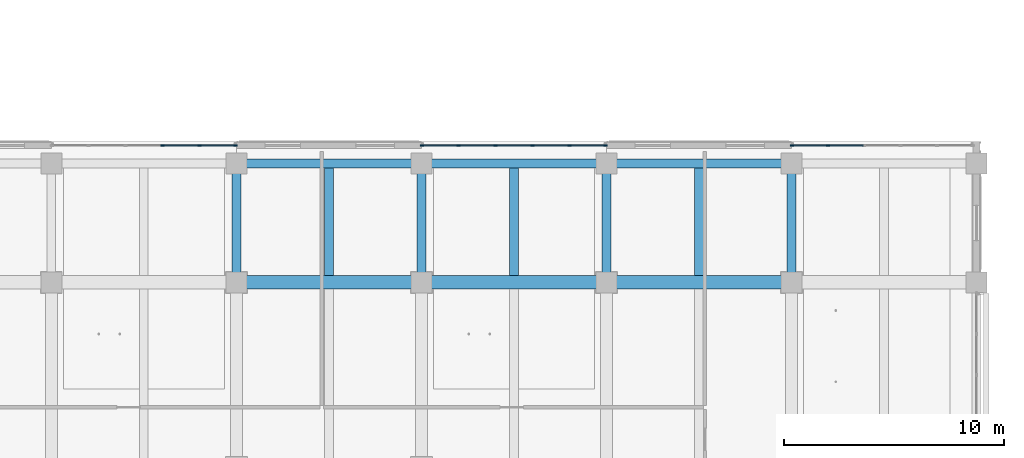
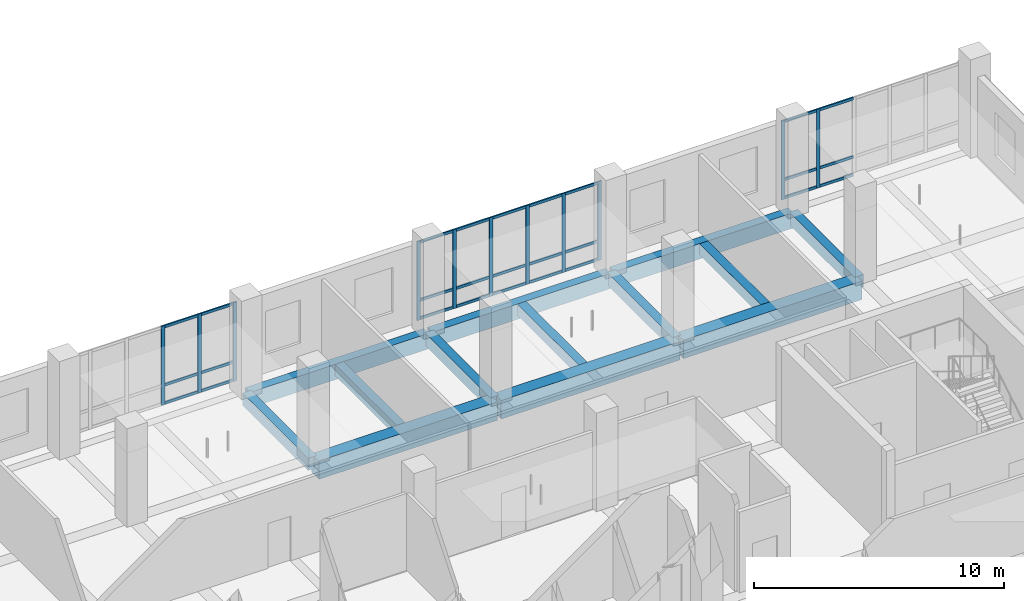
# One storey, part 21 of 122: 38 members, 13 beams, 3 elements without a shape of their own.
"""IFC4 building model written with IfcOpenShell, lengths in metres."""

from ifc_helpers import new_model, si_unit, direction, frame, origin, origin_2d, place, context, subcontext, project, spatial, rectangle, extrude, material, layer, layer_set, material_profile, profile_set, type_object, element, aggregate, save


model = new_model("IFC4")

# Units and contexts
model_context = context("Model", 3, precision=1e-05, world=origin(), true_north=direction((0.0, 1.0)))
body_context = subcontext(model_context, "Body", "Model", "MODEL_VIEW")
ifc_project = project(units=[si_unit("LENGTHUNIT", "METRE"), si_unit("AREAUNIT", "SQUARE_METRE"), si_unit("VOLUMEUNIT", "CUBIC_METRE"), si_unit("PLANEANGLEUNIT", "RADIAN"), si_unit("MASSUNIT", "GRAM", prefix="KILO")], contexts=[model_context])

# Site, building, storey
site_placement = place(None, origin())
site = spatial("IfcSite", under=ifc_project, at=site_placement, CompositionType="ELEMENT")
building_placement = place(site_placement, origin())
building = spatial("IfcBuilding", under=site, at=building_placement, Name="Telukmera Botanical Conservatory", CompositionType="ELEMENT")
storey_placement = place(building_placement, frame((0.0, 0.0, 10.199951171875)))
storey = spatial("IfcBuildingStorey", under=building, at=storey_placement, Name="L02", CompositionType="ELEMENT", Elevation=10.199951171875)

# Beams
ifc_material_1 = material(Name="Concrete C40/50", Category="concrete")
ifc_material_profile_1 = material_profile(ifc_material_1, rectangle(XDim=0.39990234375, YDim=0.60009765625, at=origin_2d()), Name="RC 400x600")
ifc_profile_set_1 = profile_set([ifc_material_profile_1], Name="Concrete C40/50")
beam_type_1 = type_object("IfcBeamType", Name="Beam_B18", PredefinedType="BEAM", material=ifc_profile_set_1)
for number, where, z_axis, x_axis, name in (
    (1, (75.60009765625, 42.8798828125, -0.300048828125), (0.0, 1.0, 0.0), (-1.0, 0.0, 0.0), "Tower Transverse Beam L02"),
    (2, (84.0, 42.8798828125, -0.300048828125), (0.0, 1.0, 0.0), (-1.0, 0.0, 0.0), "Tower Transverse Beam L02"),
    (3, (92.39990234375, 42.8798828125, -0.300048828125), (0.0, 1.0, 0.0), (-1.0, 0.0, 0.0), "Tower Transverse Beam L02"),
    (4, (100.800048828125, 42.8798828125, -0.300048828125), (0.0, 1.0, 0.0), (-1.0, 0.0, 0.0), "Tower Transverse Beam L02"),
):
    element("IfcBeam", number, at=place(storey_placement, frame(where, z_axis=z_axis, x_axis=x_axis)), inside=storey, type_object=beam_type_1, Name=name, PredefinedType="BEAM", context=body_context, shape_type="SweptSolid", body=[
        extrude(rectangle(XDim=0.39990234375, YDim=0.60009765625, at=origin_2d()), origin(), (0.0, 0.0, 1.0), 5.240234375),
    ])
ifc_material_profile_2 = material_profile(ifc_material_1, rectangle(XDim=0.39990234375, YDim=0.550048828125, at=origin_2d()), Name="RC 400x550")
ifc_profile_set_2 = profile_set([ifc_material_profile_2], Name="Concrete C40/50")
beam_type_2 = type_object("IfcBeamType", Name="Beam_B19", PredefinedType="JOIST", material=ifc_profile_set_2)
for number, where, z_axis, x_axis, name in (
    (5, (79.800048828125, 43.10009765625, -0.27490234375), (0.0, 1.0, 0.0), (-1.0, 0.0, 0.0), "Tower Secondary Floor Joist L02"),
    (6, (88.199951171875, 43.10009765625, -0.27490234375), (0.0, 1.0, 0.0), (-1.0, 0.0, 0.0), "Tower Secondary Floor Joist L02"),
    (7, (96.60009765625, 43.10009765625, -0.27490234375), (0.0, 1.0, 0.0), (-1.0, 0.0, 0.0), "Tower Secondary Floor Joist L02"),
):
    element("IfcBeam", number, at=place(storey_placement, frame(where, z_axis=z_axis, x_axis=x_axis)), inside=storey, type_object=beam_type_2, Name=name, PredefinedType="JOIST", context=body_context, shape_type="SweptSolid", body=[
        extrude(rectangle(XDim=0.39990234375, YDim=0.550048828125, at=origin_2d()), origin(), (0.0, 0.0, 1.0), 4.89990234375),
    ])
ifc_material_profile_3 = material_profile(ifc_material_1, rectangle(XDim=0.60009765625, YDim=0.89990234375, at=origin_2d()), Name="RC 600x900")
ifc_profile_set_3 = profile_set([ifc_material_profile_3], Name="Concrete C40/50")
beam_type_3 = type_object("IfcBeamType", Name="Beam_B3", PredefinedType="BEAM", material=ifc_profile_set_3)
for number, where, z_axis, x_axis, name in (
    (8, (75.679931640625, 42.800048828125, -0.449951171875), (1.0, 0.0, 0.0), (0.0, 1.0, 0.0), "Tower Grid Beam L02"),
    (9, (84.080078125, 42.800048828125, -0.449951171875), (1.0, 0.0, 0.0), (0.0, 1.0, 0.0), "Tower Grid Beam L02"),
    (10, (92.47998046875, 42.800048828125, -0.449951171875), (1.0, 0.0, 0.0), (0.0, 1.0, 0.0), "Tower Grid Beam L02"),
):
    element("IfcBeam", number, at=place(storey_placement, frame(where, z_axis=z_axis, x_axis=x_axis)), inside=storey, type_object=beam_type_3, Name=name, PredefinedType="BEAM", context=body_context, shape_type="SweptSolid", body=[
        extrude(rectangle(XDim=0.60009765625, YDim=0.89990234375, at=origin_2d()), origin(), (0.0, 0.0, 1.0), 8.239990234375),
    ])
ifc_material_2 = material(Name="Precast concrete C40/50", Category="concrete")
ifc_material_profile_4 = material_profile(ifc_material_2, rectangle(XDim=0.39990234375, YDim=0.75, at=origin_2d()), Name="PC 400x750")
ifc_profile_set_4 = profile_set([ifc_material_profile_4], Name="Precast concrete C40/50")
beam_type_4 = type_object("IfcBeamType", Name="Beam_SP1", PredefinedType="SPANDREL", material=ifc_profile_set_4)
for number, where, z_axis, x_axis, name in (
    (11, (75.679931640625, 48.199951171875, -0.375), (1.0, 0.0, 0.0), (0.0, 1.0, 0.0), "Tower Grid Beam L02"),
    (12, (84.080078125, 48.199951171875, -0.375), (1.0, 0.0, 0.0), (0.0, 1.0, 0.0), "Tower Grid Beam L02"),
    (13, (92.47998046875, 48.199951171875, -0.375), (1.0, 0.0, 0.0), (0.0, 1.0, 0.0), "Tower Grid Beam L02"),
):
    element("IfcBeam", number, at=place(storey_placement, frame(where, z_axis=z_axis, x_axis=x_axis)), inside=storey, type_object=beam_type_4, Name=name, PredefinedType="SPANDREL", context=body_context, shape_type="SweptSolid", body=[
        extrude(rectangle(XDim=0.39990234375, YDim=0.75, at=origin_2d()), origin(), (0.0, 0.0, 1.0), 8.239990234375),
    ])

# Curtain wall, members
ifc_material_3 = material(Name="Anodised aluminium 6063-T6", Category="aluminium")
ifc_layer = layer(ifc_material_3, 0.179931640625)
ifc_layer_set = layer_set([ifc_layer], Name="Anodised aluminium 6063-T6")
curtain_wall_type = type_object("IfcCurtainWallType", Name="Tower Reference Library Curtain Wall", PredefinedType="USERDEFINED", material=ifc_layer_set)
curtain_wall_1_placement = place(storey_placement, origin())
curtain_wall_1 = element("IfcCurtainWall", 14, at=curtain_wall_1_placement, inside=storey, type_object=curtain_wall_type, Name="Unitised Curtain Wall CW13 V4:L02:N3", ObjectType="UNITISED CURTAIN WALL", PredefinedType="USERDEFINED")
ifc_material_profile_5 = material_profile(ifc_material_3, rectangle(XDim=0.06494140625, YDim=0.159912109375, at=origin_2d()), Name="ALU MULL 65x160")
ifc_profile_set_5 = profile_set([ifc_material_profile_5], Name="Anodised aluminium 6063-T6")
member_type_1 = type_object("IfcMemberType", Name="Curtain Wall Extruded Mullion 65x160", PredefinedType="MULLION", material=ifc_profile_set_5)
member_1_placement = place(storey_placement, frame((72.239501953125, 49.02001953125, 0.0), z_axis=(0.0, 0.0, 1.0), x_axis=(0.0, 1.0, 0.0)))
member_1 = element("IfcMember", 15, at=member_1_placement, type_object=member_type_1, Name="CW13 mullion 4", PredefinedType="MULLION", context=body_context, shape_type="SweptSolid", body=[
    extrude(rectangle(XDim=0.06494140625, YDim=0.159912109375, at=origin_2d()), origin(), (0.0, 0.0, 1.0), 3.85009765625),
])
member_2_placement = place(storey_placement, frame((73.918701171875, 49.02001953125, 0.0), z_axis=(0.0, 0.0, 1.0), x_axis=(0.0, 1.0, 0.0)))
member_2 = element("IfcMember", 16, at=member_2_placement, type_object=member_type_1, Name="CW13 mullion 5", PredefinedType="MULLION", context=body_context, shape_type="SweptSolid", body=[
    extrude(rectangle(XDim=0.06494140625, YDim=0.159912109375, at=origin_2d()), origin(), (0.0, 0.0, 1.0), 3.85009765625),
])
member_3_placement = place(storey_placement, frame((75.5654296875, 49.02001953125, 0.0), z_axis=(0.0, 0.0, 1.0), x_axis=(0.0, 1.0, 0.0)))
member_3 = element("IfcMember", 17, at=member_3_placement, type_object=member_type_1, Name="CW13 mullion 6", PredefinedType="MULLION", context=body_context, shape_type="SweptSolid", body=[
    extrude(rectangle(XDim=0.06494140625, YDim=0.159912109375, at=origin_2d()), origin(), (0.0, 0.0, 1.0), 3.85009765625),
])

curtain_wall_2_placement = place(storey_placement, origin())
curtain_wall_2 = element("IfcCurtainWall", 18, at=curtain_wall_2_placement, inside=storey, type_object=curtain_wall_type, Name="Unitised Curtain Wall CW13 V4:L02:N5", ObjectType="UNITISED CURTAIN WALL", PredefinedType="USERDEFINED")
member_4_placement = place(storey_placement, frame((84.034423828125, 49.02001953125, 0.0), z_axis=(0.0, 0.0, 1.0), x_axis=(0.0, 1.0, 0.0)))
member_4 = element("IfcMember", 19, at=member_4_placement, type_object=member_type_1, Name="CW13 mullion 1", PredefinedType="MULLION", context=body_context, shape_type="SweptSolid", body=[
    extrude(rectangle(XDim=0.06494140625, YDim=0.159912109375, at=origin_2d()), origin(), (0.0, 0.0, 1.0), 3.85009765625),
])
member_5_placement = place(storey_placement, frame((85.68115234375, 49.02001953125, 0.0), z_axis=(0.0, 0.0, 1.0), x_axis=(0.0, 1.0, 0.0)))
member_5 = element("IfcMember", 20, at=member_5_placement, type_object=member_type_1, Name="CW13 mullion 2", PredefinedType="MULLION", context=body_context, shape_type="SweptSolid", body=[
    extrude(rectangle(XDim=0.06494140625, YDim=0.159912109375, at=origin_2d()), origin(), (0.0, 0.0, 1.0), 3.85009765625),
])
member_6_placement = place(storey_placement, frame((87.3603515625, 49.02001953125, 0.0), z_axis=(0.0, 0.0, 1.0), x_axis=(0.0, 1.0, 0.0)))
member_6 = element("IfcMember", 21, at=member_6_placement, type_object=member_type_1, Name="CW13 mullion 3", PredefinedType="MULLION", context=body_context, shape_type="SweptSolid", body=[
    extrude(rectangle(XDim=0.06494140625, YDim=0.159912109375, at=origin_2d()), origin(), (0.0, 0.0, 1.0), 3.85009765625),
])
member_7_placement = place(storey_placement, frame((89.03955078125, 49.02001953125, 0.0), z_axis=(0.0, 0.0, 1.0), x_axis=(0.0, 1.0, 0.0)))
member_7 = element("IfcMember", 22, at=member_7_placement, type_object=member_type_1, Name="CW13 mullion 4", PredefinedType="MULLION", context=body_context, shape_type="SweptSolid", body=[
    extrude(rectangle(XDim=0.06494140625, YDim=0.159912109375, at=origin_2d()), origin(), (0.0, 0.0, 1.0), 3.85009765625),
])
member_8_placement = place(storey_placement, frame((90.71875, 49.02001953125, 0.0), z_axis=(0.0, 0.0, 1.0), x_axis=(0.0, 1.0, 0.0)))
member_8 = element("IfcMember", 23, at=member_8_placement, type_object=member_type_1, Name="CW13 mullion 5", PredefinedType="MULLION", context=body_context, shape_type="SweptSolid", body=[
    extrude(rectangle(XDim=0.06494140625, YDim=0.159912109375, at=origin_2d()), origin(), (0.0, 0.0, 1.0), 3.85009765625),
])
member_9_placement = place(storey_placement, frame((92.365478515625, 49.02001953125, 0.0), z_axis=(0.0, 0.0, 1.0), x_axis=(0.0, 1.0, 0.0)))
member_9 = element("IfcMember", 24, at=member_9_placement, type_object=member_type_1, Name="CW13 mullion 6", PredefinedType="MULLION", context=body_context, shape_type="SweptSolid", body=[
    extrude(rectangle(XDim=0.06494140625, YDim=0.159912109375, at=origin_2d()), origin(), (0.0, 0.0, 1.0), 3.85009765625),
])

curtain_wall_3_placement = place(storey_placement, origin())
curtain_wall_3 = element("IfcCurtainWall", 25, at=curtain_wall_3_placement, inside=storey, type_object=curtain_wall_type, Name="Unitised Curtain Wall CW13 V4:L02:N7", ObjectType="UNITISED CURTAIN WALL", PredefinedType="USERDEFINED")
member_10_placement = place(storey_placement, frame((100.83447265625, 49.02001953125, 0.0), z_axis=(0.0, 0.0, 1.0), x_axis=(0.0, 1.0, 0.0)))
member_10 = element("IfcMember", 26, at=member_10_placement, type_object=member_type_1, Name="CW13 mullion 1", PredefinedType="MULLION", context=body_context, shape_type="SweptSolid", body=[
    extrude(rectangle(XDim=0.06494140625, YDim=0.159912109375, at=origin_2d()), origin(), (0.0, 0.0, 1.0), 3.85009765625),
])
member_11_placement = place(storey_placement, frame((102.451171875, 49.02001953125, 0.0), z_axis=(0.0, 0.0, 1.0), x_axis=(0.0, 1.0, 0.0)))
member_11 = element("IfcMember", 27, at=member_11_placement, type_object=member_type_1, Name="CW13 mullion 2", PredefinedType="MULLION", context=body_context, shape_type="SweptSolid", body=[
    extrude(rectangle(XDim=0.06494140625, YDim=0.159912109375, at=origin_2d()), origin(), (0.0, 0.0, 1.0), 3.85009765625),
])

# Member
ifc_material_profile_6 = material_profile(ifc_material_3, rectangle(XDim=0.06494140625, YDim=0.1298828125, at=origin_2d()), Name="ALU TRAN 65x130")
ifc_profile_set_6 = profile_set([ifc_material_profile_6], Name="Anodised aluminium 6063-T6")
member_type_2 = type_object("IfcMemberType", Name="Curtain Wall Extruded Transom 65x130", PredefinedType="USERDEFINED", material=ifc_profile_set_6)
member_12_placement = place(storey_placement, frame((72.272216796875, 49.02001953125, 0.06494140625), z_axis=(1.0, 0.0, 0.0), x_axis=(0.0, 1.0, 0.0)))
member_12 = element("IfcMember", 28, at=member_12_placement, type_object=member_type_2, Name="CW13 transom 4.1", ObjectType="TRANSOM", PredefinedType="USERDEFINED", context=body_context, shape_type="SweptSolid", body=[
    extrude(rectangle(XDim=0.06494140625, YDim=0.1298828125, at=origin_2d()), origin(), (0.0, 0.0, 1.0), 1.614013671875),
])

member_13_placement = place(storey_placement, frame((72.272216796875, 49.02001953125, 0.949951171875), z_axis=(1.0, 0.0, 0.0), x_axis=(0.0, 1.0, 0.0)))
member_13 = element("IfcMember", 29, at=member_13_placement, type_object=member_type_2, Name="CW13 transom 4.2", ObjectType="TRANSOM", PredefinedType="USERDEFINED", context=body_context, shape_type="SweptSolid", body=[
    extrude(rectangle(XDim=0.06494140625, YDim=0.1298828125, at=origin_2d()), origin(), (0.0, 0.0, 1.0), 1.614013671875),
])

member_14_placement = place(storey_placement, frame((72.272216796875, 49.02001953125, 3.78515625), z_axis=(1.0, 0.0, 0.0), x_axis=(0.0, 1.0, 0.0)))
member_14 = element("IfcMember", 30, at=member_14_placement, type_object=member_type_2, Name="CW13 transom 4.3", ObjectType="TRANSOM", PredefinedType="USERDEFINED", context=body_context, shape_type="SweptSolid", body=[
    extrude(rectangle(XDim=0.06494140625, YDim=0.1298828125, at=origin_2d()), origin(), (0.0, 0.0, 1.0), 1.614013671875),
])

member_15_placement = place(storey_placement, frame((73.951416015625, 49.02001953125, 0.06494140625), z_axis=(1.0, 0.0, 0.0), x_axis=(0.0, 1.0, 0.0)))
member_15 = element("IfcMember", 31, at=member_15_placement, type_object=member_type_2, Name="CW13 transom 5.1", ObjectType="TRANSOM", PredefinedType="USERDEFINED", context=body_context, shape_type="SweptSolid", body=[
    extrude(rectangle(XDim=0.06494140625, YDim=0.1298828125, at=origin_2d()), origin(), (0.0, 0.0, 1.0), 1.58154296875),
])

member_16_placement = place(storey_placement, frame((73.951416015625, 49.02001953125, 0.949951171875), z_axis=(1.0, 0.0, 0.0), x_axis=(0.0, 1.0, 0.0)))
member_16 = element("IfcMember", 32, at=member_16_placement, type_object=member_type_2, Name="CW13 transom 5.2", ObjectType="TRANSOM", PredefinedType="USERDEFINED", context=body_context, shape_type="SweptSolid", body=[
    extrude(rectangle(XDim=0.06494140625, YDim=0.1298828125, at=origin_2d()), origin(), (0.0, 0.0, 1.0), 1.58154296875),
])

member_17_placement = place(storey_placement, frame((73.951416015625, 49.02001953125, 3.78515625), z_axis=(1.0, 0.0, 0.0), x_axis=(0.0, 1.0, 0.0)))
member_17 = element("IfcMember", 33, at=member_17_placement, type_object=member_type_2, Name="CW13 transom 5.3", ObjectType="TRANSOM", PredefinedType="USERDEFINED", context=body_context, shape_type="SweptSolid", body=[
    extrude(rectangle(XDim=0.06494140625, YDim=0.1298828125, at=origin_2d()), origin(), (0.0, 0.0, 1.0), 1.58154296875),
])

aggregate(curtain_wall_1, [member_1, member_2, member_3, member_12, member_13, member_14, member_15, member_16, member_17])

member_18_placement = place(storey_placement, frame((84.06689453125, 49.02001953125, 0.06494140625), z_axis=(1.0, 0.0, 0.0), x_axis=(0.0, 1.0, 0.0)))
member_18 = element("IfcMember", 34, at=member_18_placement, type_object=member_type_2, Name="CW13 transom 1.1", ObjectType="TRANSOM", PredefinedType="USERDEFINED", context=body_context, shape_type="SweptSolid", body=[
    extrude(rectangle(XDim=0.06494140625, YDim=0.1298828125, at=origin_2d()), origin(), (0.0, 0.0, 1.0), 1.581787109375),
])

member_19_placement = place(storey_placement, frame((84.06689453125, 49.02001953125, 0.949951171875), z_axis=(1.0, 0.0, 0.0), x_axis=(0.0, 1.0, 0.0)))
member_19 = element("IfcMember", 35, at=member_19_placement, type_object=member_type_2, Name="CW13 transom 1.2", ObjectType="TRANSOM", PredefinedType="USERDEFINED", context=body_context, shape_type="SweptSolid", body=[
    extrude(rectangle(XDim=0.06494140625, YDim=0.1298828125, at=origin_2d()), origin(), (0.0, 0.0, 1.0), 1.581787109375),
])

member_20_placement = place(storey_placement, frame((84.06689453125, 49.02001953125, 3.78515625), z_axis=(1.0, 0.0, 0.0), x_axis=(0.0, 1.0, 0.0)))
member_20 = element("IfcMember", 36, at=member_20_placement, type_object=member_type_2, Name="CW13 transom 1.3", ObjectType="TRANSOM", PredefinedType="USERDEFINED", context=body_context, shape_type="SweptSolid", body=[
    extrude(rectangle(XDim=0.06494140625, YDim=0.1298828125, at=origin_2d()), origin(), (0.0, 0.0, 1.0), 1.581787109375),
])

member_21_placement = place(storey_placement, frame((85.713623046875, 49.02001953125, 0.06494140625), z_axis=(1.0, 0.0, 0.0), x_axis=(0.0, 1.0, 0.0)))
member_21 = element("IfcMember", 37, at=member_21_placement, type_object=member_type_2, Name="CW13 transom 2.1", ObjectType="TRANSOM", PredefinedType="USERDEFINED", context=body_context, shape_type="SweptSolid", body=[
    extrude(rectangle(XDim=0.06494140625, YDim=0.1298828125, at=origin_2d()), origin(), (0.0, 0.0, 1.0), 1.6142578125),
])

member_22_placement = place(storey_placement, frame((85.713623046875, 49.02001953125, 0.949951171875), z_axis=(1.0, 0.0, 0.0), x_axis=(0.0, 1.0, 0.0)))
member_22 = element("IfcMember", 38, at=member_22_placement, type_object=member_type_2, Name="CW13 transom 2.2", ObjectType="TRANSOM", PredefinedType="USERDEFINED", context=body_context, shape_type="SweptSolid", body=[
    extrude(rectangle(XDim=0.06494140625, YDim=0.1298828125, at=origin_2d()), origin(), (0.0, 0.0, 1.0), 1.6142578125),
])

member_23_placement = place(storey_placement, frame((85.713623046875, 49.02001953125, 3.78515625), z_axis=(1.0, 0.0, 0.0), x_axis=(0.0, 1.0, 0.0)))
member_23 = element("IfcMember", 39, at=member_23_placement, type_object=member_type_2, Name="CW13 transom 2.3", ObjectType="TRANSOM", PredefinedType="USERDEFINED", context=body_context, shape_type="SweptSolid", body=[
    extrude(rectangle(XDim=0.06494140625, YDim=0.1298828125, at=origin_2d()), origin(), (0.0, 0.0, 1.0), 1.6142578125),
])

member_24_placement = place(storey_placement, frame((87.392822265625, 49.02001953125, 0.06494140625), z_axis=(1.0, 0.0, 0.0), x_axis=(0.0, 1.0, 0.0)))
member_24 = element("IfcMember", 40, at=member_24_placement, type_object=member_type_2, Name="CW13 transom 3.1", ObjectType="TRANSOM", PredefinedType="USERDEFINED", context=body_context, shape_type="SweptSolid", body=[
    extrude(rectangle(XDim=0.06494140625, YDim=0.1298828125, at=origin_2d()), origin(), (0.0, 0.0, 1.0), 1.6142578125),
])

member_25_placement = place(storey_placement, frame((87.392822265625, 49.02001953125, 0.949951171875), z_axis=(1.0, 0.0, 0.0), x_axis=(0.0, 1.0, 0.0)))
member_25 = element("IfcMember", 41, at=member_25_placement, type_object=member_type_2, Name="CW13 transom 3.2", ObjectType="TRANSOM", PredefinedType="USERDEFINED", context=body_context, shape_type="SweptSolid", body=[
    extrude(rectangle(XDim=0.06494140625, YDim=0.1298828125, at=origin_2d()), origin(), (0.0, 0.0, 1.0), 1.6142578125),
])

member_26_placement = place(storey_placement, frame((87.392822265625, 49.02001953125, 3.78515625), z_axis=(1.0, 0.0, 0.0), x_axis=(0.0, 1.0, 0.0)))
member_26 = element("IfcMember", 42, at=member_26_placement, type_object=member_type_2, Name="CW13 transom 3.3", ObjectType="TRANSOM", PredefinedType="USERDEFINED", context=body_context, shape_type="SweptSolid", body=[
    extrude(rectangle(XDim=0.06494140625, YDim=0.1298828125, at=origin_2d()), origin(), (0.0, 0.0, 1.0), 1.6142578125),
])

member_27_placement = place(storey_placement, frame((89.072021484375, 49.02001953125, 0.06494140625), z_axis=(1.0, 0.0, 0.0), x_axis=(0.0, 1.0, 0.0)))
member_27 = element("IfcMember", 43, at=member_27_placement, type_object=member_type_2, Name="CW13 transom 4.1", ObjectType="TRANSOM", PredefinedType="USERDEFINED", context=body_context, shape_type="SweptSolid", body=[
    extrude(rectangle(XDim=0.06494140625, YDim=0.1298828125, at=origin_2d()), origin(), (0.0, 0.0, 1.0), 1.6142578125),
])

member_28_placement = place(storey_placement, frame((89.072021484375, 49.02001953125, 0.949951171875), z_axis=(1.0, 0.0, 0.0), x_axis=(0.0, 1.0, 0.0)))
member_28 = element("IfcMember", 44, at=member_28_placement, type_object=member_type_2, Name="CW13 transom 4.2", ObjectType="TRANSOM", PredefinedType="USERDEFINED", context=body_context, shape_type="SweptSolid", body=[
    extrude(rectangle(XDim=0.06494140625, YDim=0.1298828125, at=origin_2d()), origin(), (0.0, 0.0, 1.0), 1.6142578125),
])

member_29_placement = place(storey_placement, frame((89.072021484375, 49.02001953125, 3.78515625), z_axis=(1.0, 0.0, 0.0), x_axis=(0.0, 1.0, 0.0)))
member_29 = element("IfcMember", 45, at=member_29_placement, type_object=member_type_2, Name="CW13 transom 4.3", ObjectType="TRANSOM", PredefinedType="USERDEFINED", context=body_context, shape_type="SweptSolid", body=[
    extrude(rectangle(XDim=0.06494140625, YDim=0.1298828125, at=origin_2d()), origin(), (0.0, 0.0, 1.0), 1.6142578125),
])

member_30_placement = place(storey_placement, frame((90.751220703125, 49.02001953125, 0.06494140625), z_axis=(1.0, 0.0, 0.0), x_axis=(0.0, 1.0, 0.0)))
member_30 = element("IfcMember", 46, at=member_30_placement, type_object=member_type_2, Name="CW13 transom 5.1", ObjectType="TRANSOM", PredefinedType="USERDEFINED", context=body_context, shape_type="SweptSolid", body=[
    extrude(rectangle(XDim=0.06494140625, YDim=0.1298828125, at=origin_2d()), origin(), (0.0, 0.0, 1.0), 1.581787109375),
])

member_31_placement = place(storey_placement, frame((90.751220703125, 49.02001953125, 0.949951171875), z_axis=(1.0, 0.0, 0.0), x_axis=(0.0, 1.0, 0.0)))
member_31 = element("IfcMember", 47, at=member_31_placement, type_object=member_type_2, Name="CW13 transom 5.2", ObjectType="TRANSOM", PredefinedType="USERDEFINED", context=body_context, shape_type="SweptSolid", body=[
    extrude(rectangle(XDim=0.06494140625, YDim=0.1298828125, at=origin_2d()), origin(), (0.0, 0.0, 1.0), 1.581787109375),
])

member_32_placement = place(storey_placement, frame((90.751220703125, 49.02001953125, 3.78515625), z_axis=(1.0, 0.0, 0.0), x_axis=(0.0, 1.0, 0.0)))
member_32 = element("IfcMember", 48, at=member_32_placement, type_object=member_type_2, Name="CW13 transom 5.3", ObjectType="TRANSOM", PredefinedType="USERDEFINED", context=body_context, shape_type="SweptSolid", body=[
    extrude(rectangle(XDim=0.06494140625, YDim=0.1298828125, at=origin_2d()), origin(), (0.0, 0.0, 1.0), 1.581787109375),
])

aggregate(curtain_wall_2, [member_4, member_5, member_6, member_7, member_8, member_9, member_18, member_19, member_20, member_21, member_22, member_23, member_24, member_25, member_26, member_27, member_28, member_29, member_30, member_31, member_32])

member_33_placement = place(storey_placement, frame((100.866943359375, 49.02001953125, 0.06494140625), z_axis=(1.0, 0.0, 0.0), x_axis=(0.0, 1.0, 0.0)))
member_33 = element("IfcMember", 49, at=member_33_placement, type_object=member_type_2, Name="CW13 transom 1.1", ObjectType="TRANSOM", PredefinedType="USERDEFINED", context=body_context, shape_type="SweptSolid", body=[
    extrude(rectangle(XDim=0.06494140625, YDim=0.1298828125, at=origin_2d()), origin(), (0.0, 0.0, 1.0), 1.5517578125),
])

member_34_placement = place(storey_placement, frame((100.866943359375, 49.02001953125, 0.949951171875), z_axis=(1.0, 0.0, 0.0), x_axis=(0.0, 1.0, 0.0)))
member_34 = element("IfcMember", 50, at=member_34_placement, type_object=member_type_2, Name="CW13 transom 1.2", ObjectType="TRANSOM", PredefinedType="USERDEFINED", context=body_context, shape_type="SweptSolid", body=[
    extrude(rectangle(XDim=0.06494140625, YDim=0.1298828125, at=origin_2d()), origin(), (0.0, 0.0, 1.0), 1.5517578125),
])

member_35_placement = place(storey_placement, frame((100.866943359375, 49.02001953125, 3.78515625), z_axis=(1.0, 0.0, 0.0), x_axis=(0.0, 1.0, 0.0)))
member_35 = element("IfcMember", 51, at=member_35_placement, type_object=member_type_2, Name="CW13 transom 1.3", ObjectType="TRANSOM", PredefinedType="USERDEFINED", context=body_context, shape_type="SweptSolid", body=[
    extrude(rectangle(XDim=0.06494140625, YDim=0.1298828125, at=origin_2d()), origin(), (0.0, 0.0, 1.0), 1.5517578125),
])

member_36_placement = place(storey_placement, frame((102.483642578125, 49.02001953125, 0.06494140625), z_axis=(1.0, 0.0, 0.0), x_axis=(0.0, 1.0, 0.0)))
member_36 = element("IfcMember", 52, at=member_36_placement, type_object=member_type_2, Name="CW13 transom 2.1", ObjectType="TRANSOM", PredefinedType="USERDEFINED", context=body_context, shape_type="SweptSolid", body=[
    extrude(rectangle(XDim=0.06494140625, YDim=0.1298828125, at=origin_2d()), origin(), (0.0, 0.0, 1.0), 1.584228515625),
])

member_37_placement = place(storey_placement, frame((102.483642578125, 49.02001953125, 0.949951171875), z_axis=(1.0, 0.0, 0.0), x_axis=(0.0, 1.0, 0.0)))
member_37 = element("IfcMember", 53, at=member_37_placement, type_object=member_type_2, Name="CW13 transom 2.2", ObjectType="TRANSOM", PredefinedType="USERDEFINED", context=body_context, shape_type="SweptSolid", body=[
    extrude(rectangle(XDim=0.06494140625, YDim=0.1298828125, at=origin_2d()), origin(), (0.0, 0.0, 1.0), 1.584228515625),
])

member_38_placement = place(storey_placement, frame((102.483642578125, 49.02001953125, 3.78515625), z_axis=(1.0, 0.0, 0.0), x_axis=(0.0, 1.0, 0.0)))
member_38 = element("IfcMember", 54, at=member_38_placement, type_object=member_type_2, Name="CW13 transom 2.3", ObjectType="TRANSOM", PredefinedType="USERDEFINED", context=body_context, shape_type="SweptSolid", body=[
    extrude(rectangle(XDim=0.06494140625, YDim=0.1298828125, at=origin_2d()), origin(), (0.0, 0.0, 1.0), 1.584228515625),
])

aggregate(curtain_wall_3, [member_10, member_11, member_33, member_34, member_35, member_36, member_37, member_38])

save(model, "model.ifc")
